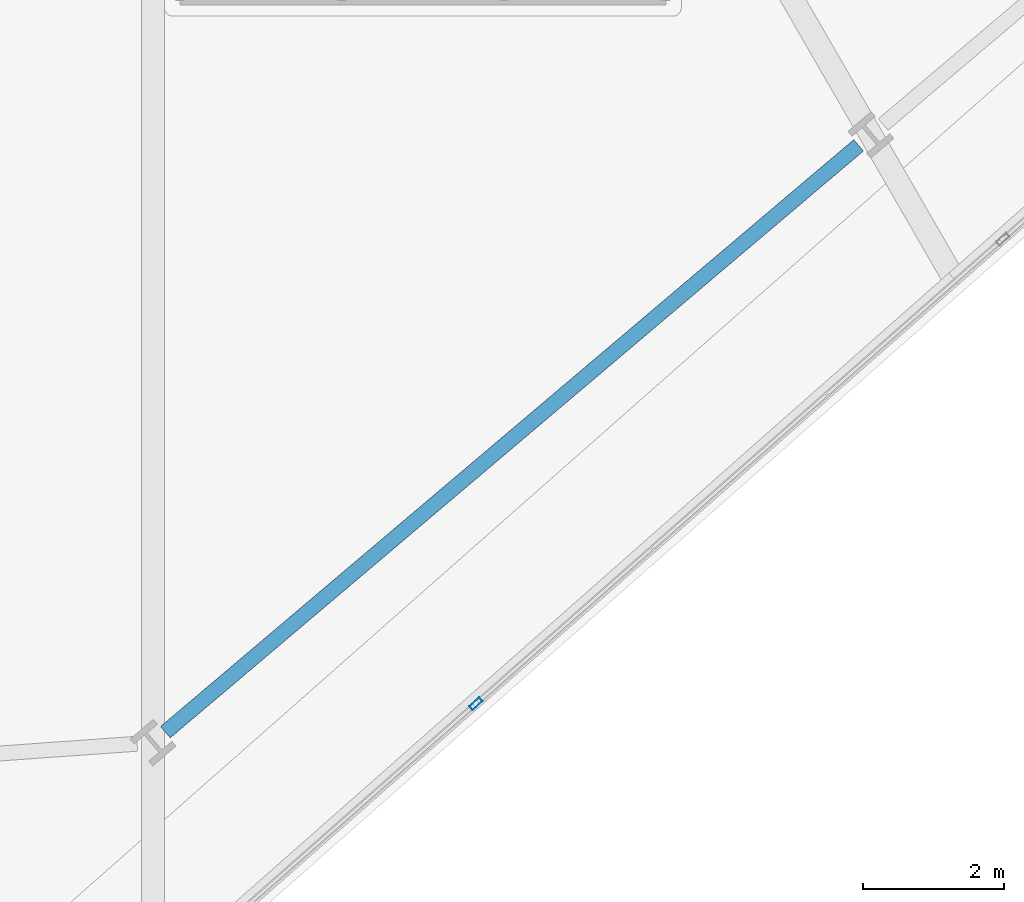
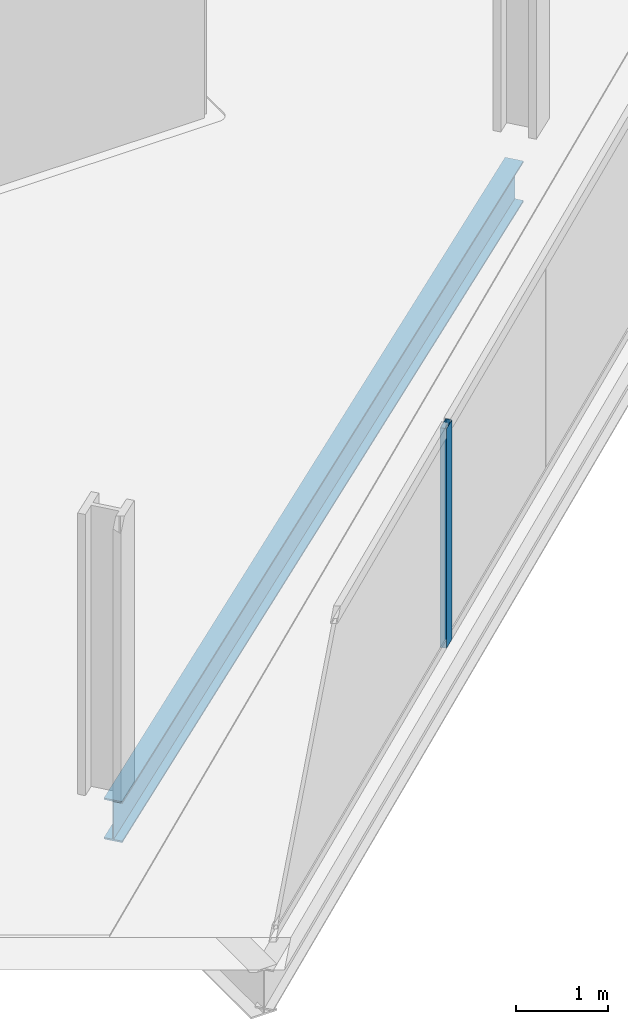
# One storey, part 7 of 34: 1 beam, 1 member, 1 element without a shape of its own.
"""IFC4 building model written with IfcOpenShell, lengths in metres."""

from ifc_helpers import new_model, si_unit, direction, frame, origin, origin_2d, place, context, subcontext, project, spatial, hollow_rectangle, i_section, extrude, material, material_profile, profile_set, type_object, element, aggregate, save


model = new_model("IFC4")

# Units and contexts
model_context = context("Model", 3, precision=1e-05, world=origin(), true_north=direction((0.0, 1.0)))
body_context = subcontext(model_context, "Body", "Model", "MODEL_VIEW")
ifc_project = project(units=[si_unit("LENGTHUNIT", "METRE"), si_unit("AREAUNIT", "SQUARE_METRE"), si_unit("VOLUMEUNIT", "CUBIC_METRE"), si_unit("PLANEANGLEUNIT", "RADIAN"), si_unit("MASSUNIT", "GRAM", prefix="KILO")], contexts=[model_context])

# Site, building, storey
site_placement = place(None, origin())
site = spatial("IfcSite", under=ifc_project, at=site_placement, CompositionType="ELEMENT")
building_placement = place(site_placement, origin())
building = spatial("IfcBuilding", under=site, at=building_placement, Name="Haldenkirk Collegiate Tower", CompositionType="ELEMENT")
storey_placement = place(building_placement, frame((0.0, 0.0, 166.949951171875)))
storey = spatial("IfcBuildingStorey", under=building, at=storey_placement, Name="L41", CompositionType="ELEMENT", Elevation=166.949951171875)

# Beam
ifc_material_1 = material(Name="Steel ASTM A992 Grade 50", Category="steel")
ifc_material_profile_1 = material_profile(ifc_material_1, i_section(OverallWidth=0.2119140625, OverallDepth=0.5439453125, WebThickness=0.01318359375, FlangeThickness=0.021240234375, at=origin_2d()), Name="W21X83")
ifc_profile_set_1 = profile_set([ifc_material_profile_1], Name="Steel ASTM A992 Grade 50")
beam_type = type_object("IfcBeamType", Name="BM-SPANDREL-W21X83", PredefinedType="SPANDREL", material=ifc_profile_set_1)
beam_placement = place(storey_placement, frame((39.743408203125, 1.261474609375, -0.56201171875), z_axis=(0.763233335078, 0.646122957514, 0.0), x_axis=(-0.646122957514, 0.763233335078, 0.0)))
element("IfcBeam", 1, at=beam_placement, inside=storey, type_object=beam_type, Name="L41 perimeter spandrel beam 02", PredefinedType="SPANDREL", context=body_context, shape_type="SweptSolid", body=[
    extrude(i_section(OverallWidth=0.2119140625, OverallDepth=0.5439453125, WebThickness=0.01318359375, FlangeThickness=0.021240234375, at=origin_2d()), origin(), (0.0, 0.0, 1.0), 12.898193359375),
])

# Curtain wall, member
ifc_material_2 = material(Name="Anodised architectural bronze aluminium", Category="aluminium")
curtain_wall_type = type_object("IfcCurtainWallType", Name="CW-SYS2-CONCAVE", PredefinedType="USERDEFINED", material=ifc_material_2)
curtain_wall_placement = place(storey_placement, origin())
curtain_wall = element("IfcCurtainWall", 2, at=curtain_wall_placement, inside=storey, type_object=curtain_wall_type, Name="L41 South concave recessed bronze-anodised curtain wall", ObjectType="UNITISED CURTAIN WALL", PredefinedType="USERDEFINED")
ifc_material_profile_2 = material_profile(ifc_material_2, hollow_rectangle(XDim=0.074951171875, YDim=0.18994140625, WallThickness=0.0048828125, at=origin_2d()), Name="CW-MUL-02")
ifc_profile_set_2 = profile_set([ifc_material_profile_2], Name="Anodised architectural bronze aluminium")
member_type = type_object("IfcMemberType", Name="CW-MUL-02", PredefinedType="MULLION", material=ifc_profile_set_2)
member_placement = place(storey_placement, frame((44.154296875, 1.6669921875, 0.0), z_axis=(0.0, 0.0, 1.0), x_axis=(0.661310403519, -0.750112358382, 0.0)))
member = element("IfcMember", 3, at=member_placement, type_object=member_type, Name="CW-02 mullion 4", PredefinedType="MULLION", context=body_context, shape_type="SweptSolid", body=[
    extrude(hollow_rectangle(XDim=0.074951171875, YDim=0.18994140625, WallThickness=0.0048828125, at=origin_2d()), origin(), (0.0, 0.0, 1.0), 2.9111328125),
])
aggregate(curtain_wall, [member])

save(model, "model.ifc")
